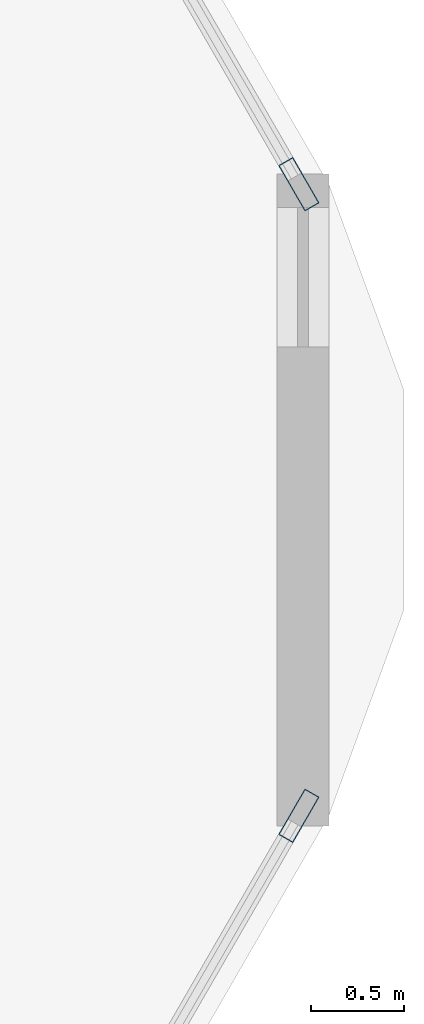
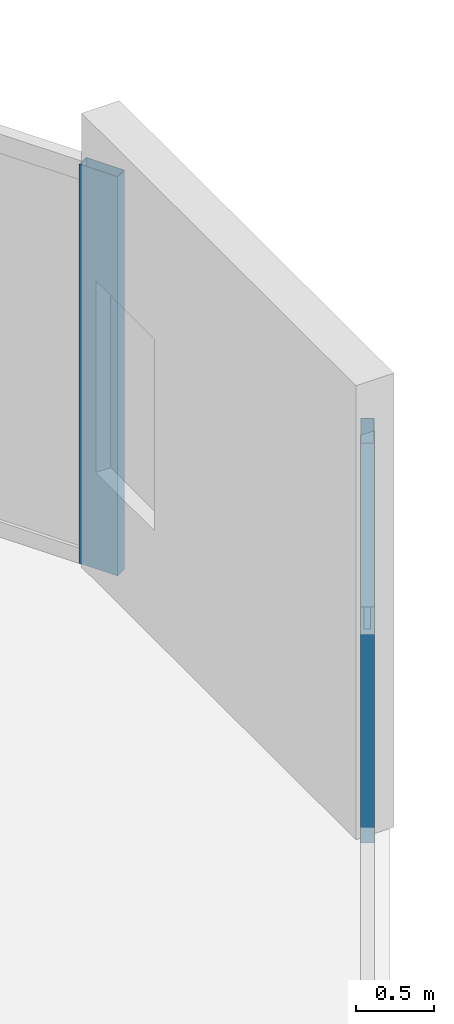
# One storey, part 22 of 33: 2 members, 2 elements without a shape of their own.
"""IFC4 building model written with IfcOpenShell, lengths in metres."""

from ifc_helpers import new_model, si_unit, direction, frame, origin, origin_2d, place, context, subcontext, project, spatial, hollow_rectangle, extrude, material, material_profile, profile_set, type_object, element, aggregate, save


model = new_model("IFC4")

# Units and contexts
model_context = context("Model", 3, precision=1e-05, world=origin(), true_north=direction((0.0, 1.0)))
body_context = subcontext(model_context, "Body", "Model", "MODEL_VIEW")
ifc_project = project(units=[si_unit("LENGTHUNIT", "METRE"), si_unit("AREAUNIT", "SQUARE_METRE"), si_unit("VOLUMEUNIT", "CUBIC_METRE"), si_unit("PLANEANGLEUNIT", "RADIAN"), si_unit("MASSUNIT", "GRAM", prefix="KILO")], contexts=[model_context])

# Site, building, storey
site_placement = place(None, origin())
site = spatial("IfcSite", under=ifc_project, at=site_placement, CompositionType="ELEMENT")
building_placement = place(site_placement, origin())
building = spatial("IfcBuilding", under=site, at=building_placement, Name="Zuhravey Tower", CompositionType="ELEMENT")
storey_placement = place(building_placement, frame((0.0, 0.0, 126.60009765625)))
storey = spatial("IfcBuildingStorey", under=building, at=storey_placement, Name="L31", CompositionType="ELEMENT", Elevation=126.60009765625)

# Curtain wall, member
ifc_material_1 = material(Name="Thermally broken anodised aluminium", Category="aluminium")
curtain_wall_type = type_object("IfcCurtainWallType", Name="Zone 1-2 Residential Curtain Wall CW3", PredefinedType="NOTDEFINED", material=ifc_material_1)
curtain_wall_1_placement = place(storey_placement, origin())
curtain_wall_1 = element("IfcCurtainWall", 1, at=curtain_wall_1_placement, inside=storey, type_object=curtain_wall_type, Name="L31 CW3 CW-L31-F6-1", PredefinedType="NOTDEFINED")
ifc_material_2 = material(Name="Anodised aluminium", Category="aluminium")
ifc_material_profile = material_profile(ifc_material_2, hollow_rectangle(XDim=0.090087890625, YDim=0.284912109375, WallThickness=0.0048828125, at=origin_2d()), Name="ALU-RHS-90x285x5")
ifc_profile_set = profile_set([ifc_material_profile], Name="Anodised aluminium")
member_type = type_object("IfcMemberType", Name="Curtain-Wall Mullion 90x180", PredefinedType="MULLION", material=ifc_profile_set)
member_1_placement = place(storey_placement, frame((68.4560546875, 30.298583984375, 0.0), z_axis=(0.0, 0.0, 1.0), x_axis=(0.86602552265, -0.499999794119, 0.0)))
member_1 = element("IfcMember", 2, at=member_1_placement, type_object=member_type, Name="CW3 mullion 1", PredefinedType="MULLION", context=body_context, shape_type="SweptSolid", body=[
    extrude(hollow_rectangle(XDim=0.090087890625, YDim=0.284912109375, WallThickness=0.0048828125, at=origin_2d()), origin(), (0.0, 0.0, 1.0), 3.121826171875),
])
aggregate(curtain_wall_1, [member_1])

curtain_wall_2_placement = place(storey_placement, origin())
curtain_wall_2 = element("IfcCurtainWall", 3, at=curtain_wall_2_placement, inside=storey, type_object=curtain_wall_type, Name="L31 CW3 CW-L31-F1-1", PredefinedType="NOTDEFINED")
member_2_placement = place(storey_placement, frame((68.4560546875, 33.701416015625, 0.0), z_axis=(0.0, 0.0, 1.0), x_axis=(0.86602552265, 0.499999794119, 0.0)))
member_2 = element("IfcMember", 4, at=member_2_placement, type_object=member_type, Name="CW3 mullion 6", PredefinedType="MULLION", context=body_context, shape_type="SweptSolid", body=[
    extrude(hollow_rectangle(XDim=0.090087890625, YDim=0.284912109375, WallThickness=0.0048828125, at=origin_2d()), origin(), (0.0, 0.0, 1.0), 3.121826171875),
])
aggregate(curtain_wall_2, [member_2])

save(model, "model.ifc")
